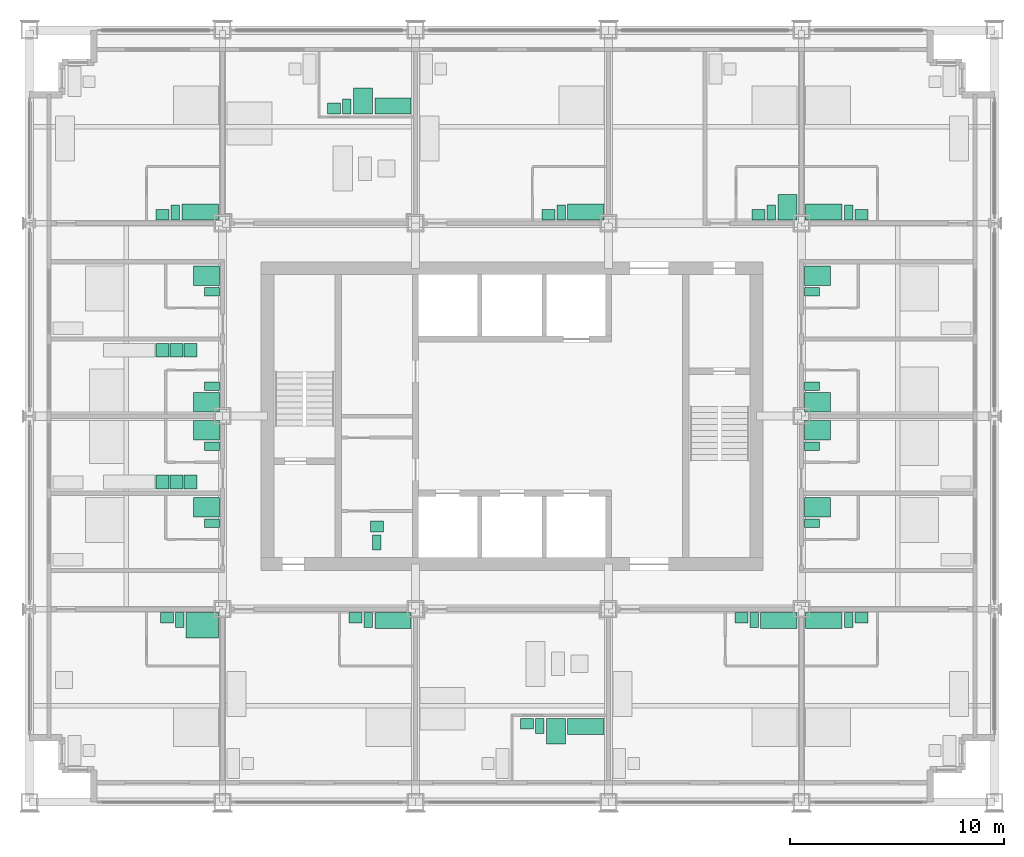
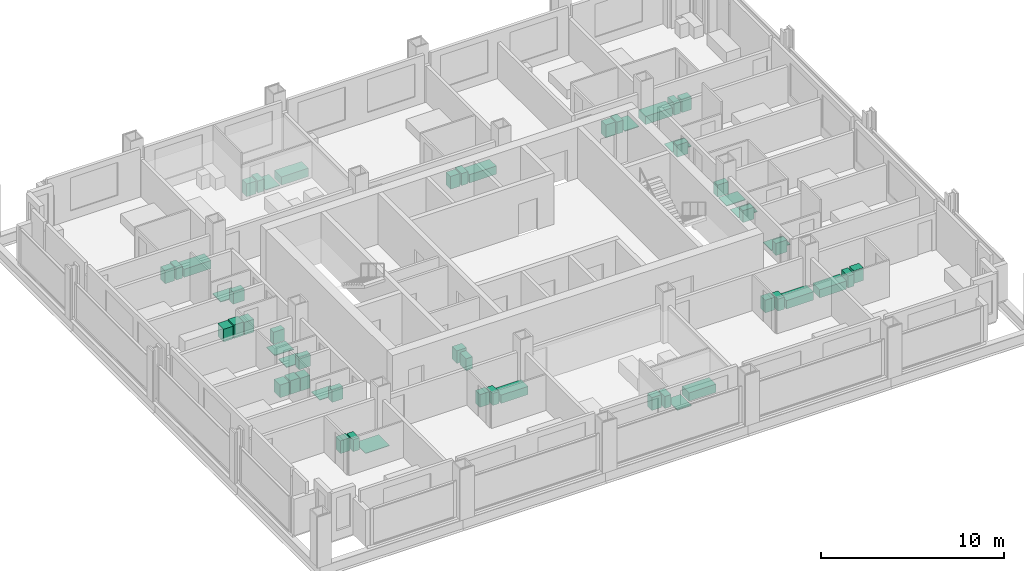
# One storey, part 15 of 16: 50 sanitary terminals, 6 electric appliances.
"""IFC4 building model written with IfcOpenShell, lengths in metres."""

import ifcopenshell
import ifcopenshell.guid

model = None  # the IFC model being written
_history = None  # IfcOwnerHistory: only IFC2X3 demands one
_inside = {}  # id of a spatial element -> (the spatial element, [elements in it])
_under = {}  # id of a project, library or spatial element -> (it, [spatial elements below it])
_declared = {}  # id of a project -> (the project, [libraries it declares])
_typed = {}  # id of a type object -> (the type object, [elements of that type])
_made_of = {}  # id of a material, layer set ... -> (it, [elements and type objects made of it])


def new_model(schema):
    """Start an empty IFC model of exactly this schema.

    Asked for "IFC4X3", IfcOpenShell would pick the latest addendum, in which some entities
    have other attributes; the version numbers below select the first issue.
    IFC2X3 requires an IfcOwnerHistory on every rooted entity: one is made here for all.
    """
    global model, _history
    if schema == "IFC4X3":
        model = ifcopenshell.file(schema_version=(4, 3, 0, 0))
    else:
        model = ifcopenshell.file(schema=schema)
    _inside.clear()
    _under.clear()
    _declared.clear()
    _typed.clear()
    _made_of.clear()
    _history = None
    if model.schema == "IFC2X3":
        org = make("IfcOrganization", Name="unknown")
        user = make(
            "IfcPersonAndOrganization",
            ThePerson=make("IfcPerson", FamilyName="unknown"),
            TheOrganization=org,
        )
        app = make(
            "IfcApplication",
            ApplicationDeveloper=org,
            Version="unknown",
            ApplicationFullName="unknown",
            ApplicationIdentifier="unknown",
        )
        _history = make(
            "IfcOwnerHistory",
            OwningUser=user,
            OwningApplication=app,
            ChangeAction="ADDED",
            CreationDate=0,
        )
    return model


def make(cls, **values):
    """One entity of the class cls with the attributes given. An attribute that is None is left unset."""
    return model.create_entity(
        cls, **{name: value for name, value in values.items() if value is not None}
    )


def rooted(cls, **values):
    """An entity with a GlobalId (a new one), such as an element, a storey or a relation."""
    return make(cls, GlobalId=ifcopenshell.guid.new(), OwnerHistory=_history, **values)


def si_unit(unit_type, name, prefix=None):
    """IfcSIUnit, for example si_unit("LENGTHUNIT", "METRE", prefix="MILLI")."""
    return make("IfcSIUnit", UnitType=unit_type, Prefix=prefix, Name=name)


def assignment(units):
    """IfcUnitAssignment: the units of a project."""
    return None if units is None else make("IfcUnitAssignment", Units=units)


def point(xyz):
    """IfcCartesianPoint."""
    return None if xyz is None else make("IfcCartesianPoint", Coordinates=xyz)


def direction(xyz):
    """IfcDirection."""
    return None if xyz is None else make("IfcDirection", DirectionRatios=xyz)


def frame(location, z_axis=None, x_axis=None):
    """IfcAxis2Placement3D, a coordinate frame: its origin and axes. An axis left out is left unset."""
    return make(
        "IfcAxis2Placement3D",
        Location=point(location),
        Axis=direction(z_axis),
        RefDirection=direction(x_axis),
    )


def frame_2d(location, x_axis=None):
    """IfcAxis2Placement2D, a coordinate frame in the plane: its origin and x axis."""
    return make(
        "IfcAxis2Placement2D", Location=point(location), RefDirection=direction(x_axis)
    )


def origin():
    """The frame at (0, 0, 0) with its axes left unset."""
    return frame((0.0, 0.0, 0.0))


def origin_2d():
    """The frame at (0, 0) in the plane with its x axis left unset."""
    return frame_2d((0.0, 0.0))


def place(relative_to, where):
    """IfcLocalPlacement: puts the frame where relative to a parent placement (None: the world)."""
    return make(
        "IfcLocalPlacement", PlacementRelTo=relative_to, RelativePlacement=where
    )


def context(
    kind, dimensions, precision=None, world=None, true_north=None, identifier=None
):
    """IfcGeometricRepresentationContext, for example the 3D "Model" context."""
    return make(
        "IfcGeometricRepresentationContext",
        ContextIdentifier=identifier,
        ContextType=kind,
        CoordinateSpaceDimension=dimensions,
        Precision=precision,
        WorldCoordinateSystem=world,
        TrueNorth=true_north,
    )


def subcontext(parent, identifier, kind, view, scale=None):
    """IfcGeometricRepresentationSubContext, for example "Body" below "Model"."""
    return make(
        "IfcGeometricRepresentationSubContext",
        ContextIdentifier=identifier,
        ContextType=kind,
        ParentContext=parent,
        TargetScale=scale,
        TargetView=view,
    )


def project(units=None, contexts=None):
    """IfcProject with its units and contexts."""
    return rooted(
        "IfcProject",
        Name="project",
        RepresentationContexts=contexts,
        UnitsInContext=assignment(units),
    )


def spatial(cls, under=None, at=None, **own):
    """A site, building, storey or space (cls), placed at a placement, below another one or the project."""
    s = rooted(cls, ObjectPlacement=at, **own)
    if under is not None:
        _under.setdefault(under.id(), (under, []))[1].append(s)
    return s


def profile(cls, at=None, kind="AREA", **sizes):
    """A parametric profile (cls). Its sizes go by their IFC names, for example OverallWidth=200.0."""
    return make(cls, ProfileType=kind, Position=at, **sizes)


def rectangle(**sizes):
    """IfcRectangleProfileDef."""
    return profile("IfcRectangleProfileDef", **sizes)


def extrude(swept, where, along, depth):
    """IfcExtrudedAreaSolid: the profile swept, set in the frame where, extruded along a direction by depth."""
    return make(
        "IfcExtrudedAreaSolid",
        SweptArea=swept,
        Position=where,
        ExtrudedDirection=direction(along),
        Depth=depth,
    )


def shape(context_of_items, identifier, shape_type, items):
    """IfcShapeRepresentation: the items that make up one representation, for example the "Body"."""
    return make(
        "IfcShapeRepresentation",
        ContextOfItems=context_of_items,
        RepresentationIdentifier=identifier,
        RepresentationType=shape_type,
        Items=items,
    )


def made_of(thing, what):
    """Note that an element or type object is made of a material, layer set ...; save() writes the relation."""
    if what is not None:
        _made_of.setdefault(what.id(), (what, []))[1].append(thing)
    return thing


def element(
    cls,
    number,
    at=None,
    inside=None,
    cuts=None,
    type_object=None,
    material=None,
    context=None,
    identifier="Body",
    shape_type=None,
    held_by="IfcProductDefinitionShape",
    body=None,
    shapes=None,
    **own,
):
    """One element of the class cls, such as IfcWall. Its Tag is "e" and its number.

    at: its placement. inside: the storey or other place that contains it. cuts: it is an
    opening in that element (IfcRelVoidsElement). A single representation is given by context,
    identifier, shape_type and body (its items); several are given by shapes. held_by: the class
    of the entity that holds the representations. save() writes the other relations.
    """
    e = rooted(cls, Tag="e%d" % number, ObjectPlacement=at, **own)
    if body is not None:
        shapes = [shape(context, identifier, shape_type, body)]
    if shapes is not None:
        e.Representation = make(held_by, Representations=shapes)
    if inside is not None:
        _inside.setdefault(inside.id(), (inside, []))[1].append(e)
    if cuts is not None:
        rooted(
            "IfcRelVoidsElement", RelatingBuildingElement=cuts, RelatedOpeningElement=e
        )
    if type_object is not None:
        _typed.setdefault(type_object.id(), (type_object, []))[1].append(e)
    return made_of(e, material)


def aggregate(whole, parts):
    """IfcRelAggregates: a whole, such as a stair, and the parts it consists of."""
    return rooted("IfcRelAggregates", RelatingObject=whole, RelatedObjects=parts)


def save(model, path):
    """Write the relations noted so far, then the file.

    IfcRelAggregates (storeys below a building ...), IfcRelContainedInSpatialStructure (elements
    in a storey), IfcRelDefinesByType, IfcRelAssociatesMaterial and IfcRelDeclares: one each for
    every whole, place, type object, material and project.
    """
    for whole, parts in _under.values():
        aggregate(whole, parts)
    for where, things in _inside.values():
        rooted(
            "IfcRelContainedInSpatialStructure",
            RelatedElements=things,
            RelatingStructure=where,
        )
    for kind, things in _typed.values():
        rooted("IfcRelDefinesByType", RelatedObjects=things, RelatingType=kind)
    for what, things in _made_of.values():
        rooted("IfcRelAssociatesMaterial", RelatedObjects=things, RelatingMaterial=what)
    for by, libraries in _declared.values():
        rooted("IfcRelDeclares", RelatingContext=by, RelatedDefinitions=libraries)
    model.write(path)


model = new_model("IFC4")

# Units and contexts
model_context = context("Model", 3, precision=1e-05, world=origin(), true_north=direction((0.0, 1.0)))
body_context = subcontext(model_context, "Body", "Model", "MODEL_VIEW")
ifc_project = project(units=[si_unit("LENGTHUNIT", "METRE"), si_unit("AREAUNIT", "SQUARE_METRE"), si_unit("VOLUMEUNIT", "CUBIC_METRE"), si_unit("PLANEANGLEUNIT", "RADIAN"), si_unit("MASSUNIT", "GRAM", prefix="KILO")], contexts=[model_context])

# Site, building, storey
site_placement = place(None, origin())
site = spatial("IfcSite", under=ifc_project, at=site_placement, CompositionType="ELEMENT")
building_placement = place(site_placement, origin())
building = spatial("IfcBuilding", under=site, at=building_placement, Name="Loomwork Tower", CompositionType="ELEMENT")
storey_placement = place(building_placement, frame((0.0, 0.0, 107.800048828125)))
storey = spatial("IfcBuildingStorey", under=building, at=storey_placement, Name="L28", CompositionType="ELEMENT", Elevation=107.800048828125)

# Sanitary terminals
sanitary_terminal_1_placement = place(storey_placement, frame((8.050048828125, 8.25, 0.0), z_axis=(0.0, 0.0, 1.0), x_axis=(1.0, 0.0, 0.0)))
element("IfcSanitaryTerminal", 1, at=sanitary_terminal_1_placement, inside=storey, Name="Roll-in shower floor L28", PredefinedType="SHOWER", context=body_context, shape_type="SweptSolid", body=[
    extrude(rectangle(XDim=1.5, YDim=1.199951171875, at=origin_2d()), origin(), (0.0, 0.0, 1.0), 0.030029296875),
])
sanitary_terminal_2_placement = place(storey_placement, frame((7.0, 8.5, 0.0), z_axis=(0.0, 0.0, 1.0), x_axis=(1.0, 0.0, 0.0)))
element("IfcSanitaryTerminal", 2, at=sanitary_terminal_2_placement, inside=storey, Name="WC L28", PredefinedType="TOILETPAN", context=body_context, shape_type="SweptSolid", body=[
    extrude(rectangle(XDim=0.39990234375, YDim=0.699951171875, at=origin_2d()), origin(), (0.0, 0.0, 1.0), 0.800048828125),
])
sanitary_terminal_3_placement = place(storey_placement, frame((6.39990234375, 8.60009765625, 0.0), z_axis=(0.0, 0.0, 1.0), x_axis=(1.0, 0.0, 0.0)))
element("IfcSanitaryTerminal", 3, at=sanitary_terminal_3_placement, inside=storey, Name="Basin vanity L28", PredefinedType="WASHHANDBASIN", context=body_context, shape_type="SweptSolid", body=[
    extrude(rectangle(XDim=0.60009765625, YDim=0.5, at=origin_2d()), origin(), (0.0, 0.0, 1.0), 0.85009765625),
])
sanitary_terminal_4_placement = place(storey_placement, frame((16.949951171875, 8.47509765625, 0.0), z_axis=(0.0, 0.0, 1.0), x_axis=(1.0, 0.0, 0.0)))
element("IfcSanitaryTerminal", 4, at=sanitary_terminal_4_placement, inside=storey, Name="Bath L28", PredefinedType="BATH", context=body_context, shape_type="SweptSolid", body=[
    extrude(rectangle(XDim=1.699951171875, YDim=0.75, at=origin_2d()), origin(), (0.0, 0.0, 1.0), 0.550048828125),
])
sanitary_terminal_5_placement = place(storey_placement, frame((15.800048828125, 8.5, 0.0), z_axis=(0.0, 0.0, 1.0), x_axis=(1.0, 0.0, 0.0)))
element("IfcSanitaryTerminal", 5, at=sanitary_terminal_5_placement, inside=storey, Name="WC L28", PredefinedType="TOILETPAN", context=body_context, shape_type="SweptSolid", body=[
    extrude(rectangle(XDim=0.39990234375, YDim=0.699951171875, at=origin_2d()), origin(), (0.0, 0.0, 1.0), 0.800048828125),
])
sanitary_terminal_6_placement = place(storey_placement, frame((15.199951171875, 8.60009765625, 0.0), z_axis=(0.0, 0.0, 1.0), x_axis=(1.0, 0.0, 0.0)))
element("IfcSanitaryTerminal", 6, at=sanitary_terminal_6_placement, inside=storey, Name="Basin vanity L28", PredefinedType="WASHHANDBASIN", context=body_context, shape_type="SweptSolid", body=[
    extrude(rectangle(XDim=0.60009765625, YDim=0.5, at=origin_2d()), origin(), (0.0, 0.0, 1.0), 0.85009765625),
])
sanitary_terminal_7_placement = place(storey_placement, frame((25.949951171875, 3.52490234375, 0.0), z_axis=(0.0, 0.0, 1.0), x_axis=(1.0, 0.0, 0.0)))
element("IfcSanitaryTerminal", 7, at=sanitary_terminal_7_placement, inside=storey, Name="Bath L28", PredefinedType="BATH", context=body_context, shape_type="SweptSolid", body=[
    extrude(rectangle(XDim=1.699951171875, YDim=0.75, at=origin_2d()), origin(), (0.0, 0.0, 1.0), 0.550048828125),
])
sanitary_terminal_8_placement = place(storey_placement, frame((24.550048828125, 3.300048828125, 0.0), z_axis=(0.0, 0.0, 1.0), x_axis=(1.0, 0.0, 0.0)))
element("IfcSanitaryTerminal", 8, at=sanitary_terminal_8_placement, inside=storey, Name="Shower tray L28", PredefinedType="SHOWER", context=body_context, shape_type="SweptSolid", body=[
    extrude(rectangle(XDim=0.89990234375, YDim=1.199951171875, at=origin_2d()), origin(), (0.0, 0.0, 1.0), 0.050048828125),
])
sanitary_terminal_9_placement = place(storey_placement, frame((23.800048828125, 3.550048828125, 0.0), z_axis=(0.0, 0.0, 1.0), x_axis=(1.0, 0.0, 0.0)))
element("IfcSanitaryTerminal", 9, at=sanitary_terminal_9_placement, inside=storey, Name="WC L28", PredefinedType="TOILETPAN", context=body_context, shape_type="SweptSolid", body=[
    extrude(rectangle(XDim=0.39990234375, YDim=0.699951171875, at=origin_2d()), origin(), (0.0, 0.0, 1.0), 0.800048828125),
])
sanitary_terminal_10_placement = place(storey_placement, frame((23.199951171875, 3.64990234375, 0.0), z_axis=(0.0, 0.0, 1.0), x_axis=(1.0, 0.0, 0.0)))
element("IfcSanitaryTerminal", 10, at=sanitary_terminal_10_placement, inside=storey, Name="Basin vanity L28", PredefinedType="WASHHANDBASIN", context=body_context, shape_type="SweptSolid", body=[
    extrude(rectangle(XDim=0.60009765625, YDim=0.5, at=origin_2d()), origin(), (0.0, 0.0, 1.0), 0.85009765625),
])
sanitary_terminal_11_placement = place(storey_placement, frame((34.949951171875, 8.47509765625, 0.0), z_axis=(0.0, 0.0, 1.0), x_axis=(1.0, 0.0, 0.0)))
element("IfcSanitaryTerminal", 11, at=sanitary_terminal_11_placement, inside=storey, Name="Bath L28", PredefinedType="BATH", context=body_context, shape_type="SweptSolid", body=[
    extrude(rectangle(XDim=1.699951171875, YDim=0.75, at=origin_2d()), origin(), (0.0, 0.0, 1.0), 0.550048828125),
])
sanitary_terminal_12_placement = place(storey_placement, frame((33.800048828125, 8.5, 0.0), z_axis=(0.0, 0.0, 1.0), x_axis=(1.0, 0.0, 0.0)))
element("IfcSanitaryTerminal", 12, at=sanitary_terminal_12_placement, inside=storey, Name="WC L28", PredefinedType="TOILETPAN", context=body_context, shape_type="SweptSolid", body=[
    extrude(rectangle(XDim=0.39990234375, YDim=0.699951171875, at=origin_2d()), origin(), (0.0, 0.0, 1.0), 0.800048828125),
])
sanitary_terminal_13_placement = place(storey_placement, frame((33.199951171875, 8.60009765625, 0.0), z_axis=(0.0, 0.0, 1.0), x_axis=(1.0, 0.0, 0.0)))
element("IfcSanitaryTerminal", 13, at=sanitary_terminal_13_placement, inside=storey, Name="Basin vanity L28", PredefinedType="WASHHANDBASIN", context=body_context, shape_type="SweptSolid", body=[
    extrude(rectangle(XDim=0.60009765625, YDim=0.5, at=origin_2d()), origin(), (0.0, 0.0, 1.0), 0.85009765625),
])
sanitary_terminal_14_placement = place(storey_placement, frame((37.050048828125, 8.47509765625, 0.0), z_axis=(0.0, 0.0, 1.0), x_axis=(1.0, 0.0, 0.0)))
element("IfcSanitaryTerminal", 14, at=sanitary_terminal_14_placement, inside=storey, Name="Bath L28", PredefinedType="BATH", context=body_context, shape_type="SweptSolid", body=[
    extrude(rectangle(XDim=1.699951171875, YDim=0.75, at=origin_2d()), origin(), (0.0, 0.0, 1.0), 0.550048828125),
])
sanitary_terminal_15_placement = place(storey_placement, frame((38.199951171875, 8.5, 0.0), z_axis=(0.0, 0.0, 1.0), x_axis=(1.0, 0.0, 0.0)))
element("IfcSanitaryTerminal", 15, at=sanitary_terminal_15_placement, inside=storey, Name="WC L28", PredefinedType="TOILETPAN", context=body_context, shape_type="SweptSolid", body=[
    extrude(rectangle(XDim=0.39990234375, YDim=0.699951171875, at=origin_2d()), origin(), (0.0, 0.0, 1.0), 0.800048828125),
])
sanitary_terminal_16_placement = place(storey_placement, frame((38.800048828125, 8.60009765625, 0.0), z_axis=(0.0, 0.0, 1.0), x_axis=(1.0, 0.0, 0.0)))
element("IfcSanitaryTerminal", 16, at=sanitary_terminal_16_placement, inside=storey, Name="Basin vanity L28", PredefinedType="WASHHANDBASIN", context=body_context, shape_type="SweptSolid", body=[
    extrude(rectangle(XDim=0.60009765625, YDim=0.5, at=origin_2d()), origin(), (0.0, 0.0, 1.0), 0.85009765625),
])
sanitary_terminal_17_placement = place(storey_placement, frame((7.949951171875, 27.52490234375, 0.0), z_axis=(0.0, 0.0, 1.0), x_axis=(1.0, 0.0, 0.0)))
element("IfcSanitaryTerminal", 17, at=sanitary_terminal_17_placement, inside=storey, Name="Bath L28", PredefinedType="BATH", context=body_context, shape_type="SweptSolid", body=[
    extrude(rectangle(XDim=1.699951171875, YDim=0.75, at=origin_2d()), origin(), (0.0, 0.0, 1.0), 0.550048828125),
])
sanitary_terminal_18_placement = place(storey_placement, frame((6.800048828125, 27.5, 0.0), z_axis=(0.0, 0.0, 1.0), x_axis=(1.0, 0.0, 0.0)))
element("IfcSanitaryTerminal", 18, at=sanitary_terminal_18_placement, inside=storey, Name="WC L28", PredefinedType="TOILETPAN", context=body_context, shape_type="SweptSolid", body=[
    extrude(rectangle(XDim=0.39990234375, YDim=0.699951171875, at=origin_2d()), origin(), (0.0, 0.0, 1.0), 0.800048828125),
])
sanitary_terminal_19_placement = place(storey_placement, frame((6.199951171875, 27.39990234375, 0.0), z_axis=(0.0, 0.0, 1.0), x_axis=(1.0, 0.0, 0.0)))
element("IfcSanitaryTerminal", 19, at=sanitary_terminal_19_placement, inside=storey, Name="Basin vanity L28", PredefinedType="WASHHANDBASIN", context=body_context, shape_type="SweptSolid", body=[
    extrude(rectangle(XDim=0.60009765625, YDim=0.5, at=origin_2d()), origin(), (0.0, 0.0, 1.0), 0.85009765625),
])
sanitary_terminal_20_placement = place(storey_placement, frame((16.949951171875, 32.47509765625, 0.0), z_axis=(0.0, 0.0, 1.0), x_axis=(1.0, 0.0, 0.0)))
element("IfcSanitaryTerminal", 20, at=sanitary_terminal_20_placement, inside=storey, Name="Bath L28", PredefinedType="BATH", context=body_context, shape_type="SweptSolid", body=[
    extrude(rectangle(XDim=1.699951171875, YDim=0.75, at=origin_2d()), origin(), (0.0, 0.0, 1.0), 0.550048828125),
])
sanitary_terminal_21_placement = place(storey_placement, frame((15.550048828125, 32.699951171875, 0.0), z_axis=(0.0, 0.0, 1.0), x_axis=(1.0, 0.0, 0.0)))
element("IfcSanitaryTerminal", 21, at=sanitary_terminal_21_placement, inside=storey, Name="Shower tray L28", PredefinedType="SHOWER", context=body_context, shape_type="SweptSolid", body=[
    extrude(rectangle(XDim=0.89990234375, YDim=1.199951171875, at=origin_2d()), origin(), (0.0, 0.0, 1.0), 0.050048828125),
])
sanitary_terminal_22_placement = place(storey_placement, frame((14.800048828125, 32.449951171875, 0.0), z_axis=(0.0, 0.0, 1.0), x_axis=(1.0, 0.0, 0.0)))
element("IfcSanitaryTerminal", 22, at=sanitary_terminal_22_placement, inside=storey, Name="WC L28", PredefinedType="TOILETPAN", context=body_context, shape_type="SweptSolid", body=[
    extrude(rectangle(XDim=0.39990234375, YDim=0.699951171875, at=origin_2d()), origin(), (0.0, 0.0, 1.0), 0.800048828125),
])
sanitary_terminal_23_placement = place(storey_placement, frame((14.199951171875, 32.35009765625, 0.0), z_axis=(0.0, 0.0, 1.0), x_axis=(1.0, 0.0, 0.0)))
element("IfcSanitaryTerminal", 23, at=sanitary_terminal_23_placement, inside=storey, Name="Basin vanity L28", PredefinedType="WASHHANDBASIN", context=body_context, shape_type="SweptSolid", body=[
    extrude(rectangle(XDim=0.60009765625, YDim=0.5, at=origin_2d()), origin(), (0.0, 0.0, 1.0), 0.85009765625),
])
sanitary_terminal_24_placement = place(storey_placement, frame((25.949951171875, 27.52490234375, 0.0), z_axis=(0.0, 0.0, 1.0), x_axis=(1.0, 0.0, 0.0)))
element("IfcSanitaryTerminal", 24, at=sanitary_terminal_24_placement, inside=storey, Name="Bath L28", PredefinedType="BATH", context=body_context, shape_type="SweptSolid", body=[
    extrude(rectangle(XDim=1.699951171875, YDim=0.75, at=origin_2d()), origin(), (0.0, 0.0, 1.0), 0.550048828125),
])
sanitary_terminal_25_placement = place(storey_placement, frame((24.800048828125, 27.5, 0.0), z_axis=(0.0, 0.0, 1.0), x_axis=(1.0, 0.0, 0.0)))
element("IfcSanitaryTerminal", 25, at=sanitary_terminal_25_placement, inside=storey, Name="WC L28", PredefinedType="TOILETPAN", context=body_context, shape_type="SweptSolid", body=[
    extrude(rectangle(XDim=0.39990234375, YDim=0.699951171875, at=origin_2d()), origin(), (0.0, 0.0, 1.0), 0.800048828125),
])
sanitary_terminal_26_placement = place(storey_placement, frame((24.199951171875, 27.39990234375, 0.0), z_axis=(0.0, 0.0, 1.0), x_axis=(1.0, 0.0, 0.0)))
element("IfcSanitaryTerminal", 26, at=sanitary_terminal_26_placement, inside=storey, Name="Basin vanity L28", PredefinedType="WASHHANDBASIN", context=body_context, shape_type="SweptSolid", body=[
    extrude(rectangle(XDim=0.60009765625, YDim=0.5, at=origin_2d()), origin(), (0.0, 0.0, 1.0), 0.85009765625),
])
sanitary_terminal_27_placement = place(storey_placement, frame((35.35009765625, 27.75, 0.0), z_axis=(0.0, 0.0, 1.0), x_axis=(1.0, 0.0, 0.0)))
element("IfcSanitaryTerminal", 27, at=sanitary_terminal_27_placement, inside=storey, Name="Shower tray L28", PredefinedType="SHOWER", context=body_context, shape_type="SweptSolid", body=[
    extrude(rectangle(XDim=0.89990234375, YDim=1.199951171875, at=origin_2d()), origin(), (0.0, 0.0, 1.0), 0.050048828125),
])
sanitary_terminal_28_placement = place(storey_placement, frame((34.60009765625, 27.5, 0.0), z_axis=(0.0, 0.0, 1.0), x_axis=(1.0, 0.0, 0.0)))
element("IfcSanitaryTerminal", 28, at=sanitary_terminal_28_placement, inside=storey, Name="WC L28", PredefinedType="TOILETPAN", context=body_context, shape_type="SweptSolid", body=[
    extrude(rectangle(XDim=0.39990234375, YDim=0.699951171875, at=origin_2d()), origin(), (0.0, 0.0, 1.0), 0.800048828125),
])
sanitary_terminal_29_placement = place(storey_placement, frame((34.0, 27.39990234375, 0.0), z_axis=(0.0, 0.0, 1.0), x_axis=(1.0, 0.0, 0.0)))
element("IfcSanitaryTerminal", 29, at=sanitary_terminal_29_placement, inside=storey, Name="Basin vanity L28", PredefinedType="WASHHANDBASIN", context=body_context, shape_type="SweptSolid", body=[
    extrude(rectangle(XDim=0.60009765625, YDim=0.5, at=origin_2d()), origin(), (0.0, 0.0, 1.0), 0.85009765625),
])
sanitary_terminal_30_placement = place(storey_placement, frame((37.050048828125, 27.52490234375, 0.0), z_axis=(0.0, 0.0, 1.0), x_axis=(1.0, 0.0, 0.0)))
element("IfcSanitaryTerminal", 30, at=sanitary_terminal_30_placement, inside=storey, Name="Bath L28", PredefinedType="BATH", context=body_context, shape_type="SweptSolid", body=[
    extrude(rectangle(XDim=1.699951171875, YDim=0.75, at=origin_2d()), origin(), (0.0, 0.0, 1.0), 0.550048828125),
])
sanitary_terminal_31_placement = place(storey_placement, frame((38.199951171875, 27.5, 0.0), z_axis=(0.0, 0.0, 1.0), x_axis=(1.0, 0.0, 0.0)))
element("IfcSanitaryTerminal", 31, at=sanitary_terminal_31_placement, inside=storey, Name="WC L28", PredefinedType="TOILETPAN", context=body_context, shape_type="SweptSolid", body=[
    extrude(rectangle(XDim=0.39990234375, YDim=0.699951171875, at=origin_2d()), origin(), (0.0, 0.0, 1.0), 0.800048828125),
])
sanitary_terminal_32_placement = place(storey_placement, frame((38.800048828125, 27.39990234375, 0.0), z_axis=(0.0, 0.0, 1.0), x_axis=(1.0, 0.0, 0.0)))
element("IfcSanitaryTerminal", 32, at=sanitary_terminal_32_placement, inside=storey, Name="Basin vanity L28", PredefinedType="WASHHANDBASIN", context=body_context, shape_type="SweptSolid", body=[
    extrude(rectangle(XDim=0.60009765625, YDim=0.5, at=origin_2d()), origin(), (0.0, 0.0, 1.0), 0.85009765625),
])
sanitary_terminal_33_placement = place(storey_placement, frame((8.25, 13.75, 0.0), z_axis=(0.0, 0.0, 1.0), x_axis=(1.0, 0.0, 0.0)))
element("IfcSanitaryTerminal", 33, at=sanitary_terminal_33_placement, inside=storey, Name="Shower tray L28", PredefinedType="SHOWER", context=body_context, shape_type="SweptSolid", body=[
    extrude(rectangle(XDim=1.199951171875, YDim=0.89990234375, at=origin_2d()), origin(), (0.0, 0.0, 1.0), 0.050048828125),
])
sanitary_terminal_34_placement = place(storey_placement, frame((8.5, 13.0, 0.0), z_axis=(0.0, 0.0, 1.0), x_axis=(1.0, 0.0, 0.0)))
element("IfcSanitaryTerminal", 34, at=sanitary_terminal_34_placement, inside=storey, Name="WC L28", PredefinedType="TOILETPAN", context=body_context, shape_type="SweptSolid", body=[
    extrude(rectangle(XDim=0.699951171875, YDim=0.39990234375, at=origin_2d()), origin(), (0.0, 0.0, 1.0), 0.800048828125),
])
sanitary_terminal_35_placement = place(storey_placement, frame((8.25, 17.35009765625, 0.0), z_axis=(0.0, 0.0, 1.0), x_axis=(1.0, 0.0, 0.0)))
element("IfcSanitaryTerminal", 35, at=sanitary_terminal_35_placement, inside=storey, Name="Shower tray L28", PredefinedType="SHOWER", context=body_context, shape_type="SweptSolid", body=[
    extrude(rectangle(XDim=1.199951171875, YDim=0.89990234375, at=origin_2d()), origin(), (0.0, 0.0, 1.0), 0.050048828125),
])
sanitary_terminal_36_placement = place(storey_placement, frame((8.5, 16.60009765625, 0.0), z_axis=(0.0, 0.0, 1.0), x_axis=(1.0, 0.0, 0.0)))
element("IfcSanitaryTerminal", 36, at=sanitary_terminal_36_placement, inside=storey, Name="WC L28", PredefinedType="TOILETPAN", context=body_context, shape_type="SweptSolid", body=[
    extrude(rectangle(XDim=0.699951171875, YDim=0.39990234375, at=origin_2d()), origin(), (0.0, 0.0, 1.0), 0.800048828125),
])

# Electric appliances
electric_appliance_1_placement = place(storey_placement, frame((7.5, 14.925048828125, 0.0), z_axis=(0.0, 0.0, 1.0), x_axis=(1.0, 0.0, 0.0)))
element("IfcElectricAppliance", 37, at=electric_appliance_1_placement, inside=storey, Name="Refrigerator L28", PredefinedType="REFRIGERATOR", context=body_context, shape_type="SweptSolid", body=[
    extrude(rectangle(XDim=0.60009765625, YDim=0.64990234375, at=origin_2d()), origin(), (0.0, 0.0, 1.0), 0.85009765625),
])
electric_appliance_2_placement = place(storey_placement, frame((6.85009765625, 14.925048828125, 0.0), z_axis=(0.0, 0.0, 1.0), x_axis=(1.0, 0.0, 0.0)))
element("IfcElectricAppliance", 38, at=electric_appliance_2_placement, inside=storey, Name="Two-ring cooktop and oven L28", PredefinedType="ELECTRICCOOKER", context=body_context, shape_type="SweptSolid", body=[
    extrude(rectangle(XDim=0.60009765625, YDim=0.64990234375, at=origin_2d()), origin(), (0.0, 0.0, 1.0), 0.89990234375),
])
electric_appliance_3_placement = place(storey_placement, frame((6.199951171875, 14.925048828125, 0.0), z_axis=(0.0, 0.0, 1.0), x_axis=(1.0, 0.0, 0.0)))
element("IfcElectricAppliance", 39, at=electric_appliance_3_placement, inside=storey, Name="Dishwasher L28", PredefinedType="DISHWASHER", context=body_context, shape_type="SweptSolid", body=[
    extrude(rectangle(XDim=0.60009765625, YDim=0.64990234375, at=origin_2d()), origin(), (0.0, 0.0, 1.0), 0.85009765625),
])

# Sanitary terminals
sanitary_terminal_37_placement = place(storey_placement, frame((8.25, 18.64990234375, 0.0), z_axis=(0.0, 0.0, 1.0), x_axis=(1.0, 0.0, 0.0)))
element("IfcSanitaryTerminal", 40, at=sanitary_terminal_37_placement, inside=storey, Name="Shower tray L28", PredefinedType="SHOWER", context=body_context, shape_type="SweptSolid", body=[
    extrude(rectangle(XDim=1.199951171875, YDim=0.89990234375, at=origin_2d()), origin(), (0.0, 0.0, 1.0), 0.050048828125),
])
sanitary_terminal_38_placement = place(storey_placement, frame((8.5, 19.39990234375, 0.0), z_axis=(0.0, 0.0, 1.0), x_axis=(1.0, 0.0, 0.0)))
element("IfcSanitaryTerminal", 41, at=sanitary_terminal_38_placement, inside=storey, Name="WC L28", PredefinedType="TOILETPAN", context=body_context, shape_type="SweptSolid", body=[
    extrude(rectangle(XDim=0.699951171875, YDim=0.39990234375, at=origin_2d()), origin(), (0.0, 0.0, 1.0), 0.800048828125),
])

# Electric appliances
electric_appliance_4_placement = place(storey_placement, frame((7.5, 21.074951171875, 0.0), z_axis=(0.0, 0.0, 1.0), x_axis=(1.0, 0.0, 0.0)))
element("IfcElectricAppliance", 42, at=electric_appliance_4_placement, inside=storey, Name="Refrigerator L28", PredefinedType="REFRIGERATOR", context=body_context, shape_type="SweptSolid", body=[
    extrude(rectangle(XDim=0.60009765625, YDim=0.64990234375, at=origin_2d()), origin(), (0.0, 0.0, 1.0), 0.85009765625),
])
electric_appliance_5_placement = place(storey_placement, frame((6.85009765625, 21.074951171875, 0.0), z_axis=(0.0, 0.0, 1.0), x_axis=(1.0, 0.0, 0.0)))
element("IfcElectricAppliance", 43, at=electric_appliance_5_placement, inside=storey, Name="Two-ring cooktop and oven L28", PredefinedType="ELECTRICCOOKER", context=body_context, shape_type="SweptSolid", body=[
    extrude(rectangle(XDim=0.60009765625, YDim=0.64990234375, at=origin_2d()), origin(), (0.0, 0.0, 1.0), 0.89990234375),
])
electric_appliance_6_placement = place(storey_placement, frame((6.199951171875, 21.074951171875, 0.0), z_axis=(0.0, 0.0, 1.0), x_axis=(1.0, 0.0, 0.0)))
element("IfcElectricAppliance", 44, at=electric_appliance_6_placement, inside=storey, Name="Dishwasher L28", PredefinedType="DISHWASHER", context=body_context, shape_type="SweptSolid", body=[
    extrude(rectangle(XDim=0.60009765625, YDim=0.64990234375, at=origin_2d()), origin(), (0.0, 0.0, 1.0), 0.85009765625),
])

# Sanitary terminals
sanitary_terminal_39_placement = place(storey_placement, frame((8.25, 24.550048828125, 0.0), z_axis=(0.0, 0.0, 1.0), x_axis=(1.0, 0.0, 0.0)))
element("IfcSanitaryTerminal", 45, at=sanitary_terminal_39_placement, inside=storey, Name="Shower tray L28", PredefinedType="SHOWER", context=body_context, shape_type="SweptSolid", body=[
    extrude(rectangle(XDim=1.199951171875, YDim=0.89990234375, at=origin_2d()), origin(), (0.0, 0.0, 1.0), 0.050048828125),
])
sanitary_terminal_40_placement = place(storey_placement, frame((8.5, 23.800048828125, 0.0), z_axis=(0.0, 0.0, 1.0), x_axis=(1.0, 0.0, 0.0)))
element("IfcSanitaryTerminal", 46, at=sanitary_terminal_40_placement, inside=storey, Name="WC L28", PredefinedType="TOILETPAN", context=body_context, shape_type="SweptSolid", body=[
    extrude(rectangle(XDim=0.699951171875, YDim=0.39990234375, at=origin_2d()), origin(), (0.0, 0.0, 1.0), 0.800048828125),
])
sanitary_terminal_41_placement = place(storey_placement, frame((36.75, 13.75, 0.0), z_axis=(0.0, 0.0, 1.0), x_axis=(1.0, 0.0, 0.0)))
element("IfcSanitaryTerminal", 47, at=sanitary_terminal_41_placement, inside=storey, Name="Shower tray L28", PredefinedType="SHOWER", context=body_context, shape_type="SweptSolid", body=[
    extrude(rectangle(XDim=1.199951171875, YDim=0.89990234375, at=origin_2d()), origin(), (0.0, 0.0, 1.0), 0.050048828125),
])
sanitary_terminal_42_placement = place(storey_placement, frame((36.5, 13.0, 0.0), z_axis=(0.0, 0.0, 1.0), x_axis=(1.0, 0.0, 0.0)))
element("IfcSanitaryTerminal", 48, at=sanitary_terminal_42_placement, inside=storey, Name="WC L28", PredefinedType="TOILETPAN", context=body_context, shape_type="SweptSolid", body=[
    extrude(rectangle(XDim=0.699951171875, YDim=0.39990234375, at=origin_2d()), origin(), (0.0, 0.0, 1.0), 0.800048828125),
])
sanitary_terminal_43_placement = place(storey_placement, frame((36.75, 17.35009765625, 0.0), z_axis=(0.0, 0.0, 1.0), x_axis=(1.0, 0.0, 0.0)))
element("IfcSanitaryTerminal", 49, at=sanitary_terminal_43_placement, inside=storey, Name="Shower tray L28", PredefinedType="SHOWER", context=body_context, shape_type="SweptSolid", body=[
    extrude(rectangle(XDim=1.199951171875, YDim=0.89990234375, at=origin_2d()), origin(), (0.0, 0.0, 1.0), 0.050048828125),
])
sanitary_terminal_44_placement = place(storey_placement, frame((36.5, 16.60009765625, 0.0), z_axis=(0.0, 0.0, 1.0), x_axis=(1.0, 0.0, 0.0)))
element("IfcSanitaryTerminal", 50, at=sanitary_terminal_44_placement, inside=storey, Name="WC L28", PredefinedType="TOILETPAN", context=body_context, shape_type="SweptSolid", body=[
    extrude(rectangle(XDim=0.699951171875, YDim=0.39990234375, at=origin_2d()), origin(), (0.0, 0.0, 1.0), 0.800048828125),
])
sanitary_terminal_45_placement = place(storey_placement, frame((36.75, 18.64990234375, 0.0), z_axis=(0.0, 0.0, 1.0), x_axis=(1.0, 0.0, 0.0)))
element("IfcSanitaryTerminal", 51, at=sanitary_terminal_45_placement, inside=storey, Name="Shower tray L28", PredefinedType="SHOWER", context=body_context, shape_type="SweptSolid", body=[
    extrude(rectangle(XDim=1.199951171875, YDim=0.89990234375, at=origin_2d()), origin(), (0.0, 0.0, 1.0), 0.050048828125),
])
sanitary_terminal_46_placement = place(storey_placement, frame((36.5, 19.39990234375, 0.0), z_axis=(0.0, 0.0, 1.0), x_axis=(1.0, 0.0, 0.0)))
element("IfcSanitaryTerminal", 52, at=sanitary_terminal_46_placement, inside=storey, Name="WC L28", PredefinedType="TOILETPAN", context=body_context, shape_type="SweptSolid", body=[
    extrude(rectangle(XDim=0.699951171875, YDim=0.39990234375, at=origin_2d()), origin(), (0.0, 0.0, 1.0), 0.800048828125),
])
sanitary_terminal_47_placement = place(storey_placement, frame((36.75, 24.550048828125, 0.0), z_axis=(0.0, 0.0, 1.0), x_axis=(1.0, 0.0, 0.0)))
element("IfcSanitaryTerminal", 53, at=sanitary_terminal_47_placement, inside=storey, Name="Shower tray L28", PredefinedType="SHOWER", context=body_context, shape_type="SweptSolid", body=[
    extrude(rectangle(XDim=1.199951171875, YDim=0.89990234375, at=origin_2d()), origin(), (0.0, 0.0, 1.0), 0.050048828125),
])
sanitary_terminal_48_placement = place(storey_placement, frame((36.5, 23.800048828125, 0.0), z_axis=(0.0, 0.0, 1.0), x_axis=(1.0, 0.0, 0.0)))
element("IfcSanitaryTerminal", 54, at=sanitary_terminal_48_placement, inside=storey, Name="WC L28", PredefinedType="TOILETPAN", context=body_context, shape_type="SweptSolid", body=[
    extrude(rectangle(XDim=0.699951171875, YDim=0.39990234375, at=origin_2d()), origin(), (0.0, 0.0, 1.0), 0.800048828125),
])
sanitary_terminal_49_placement = place(storey_placement, frame((16.199951171875, 12.10009765625, 0.0), z_axis=(0.0, 0.0, 1.0), x_axis=(1.0, 0.0, 0.0)))
element("IfcSanitaryTerminal", 55, at=sanitary_terminal_49_placement, inside=storey, Name="WC L28", PredefinedType="TOILETPAN", context=body_context, shape_type="SweptSolid", body=[
    extrude(rectangle(XDim=0.39990234375, YDim=0.699951171875, at=origin_2d()), origin(), (0.0, 0.0, 1.0), 0.800048828125),
])
sanitary_terminal_50_placement = place(storey_placement, frame((16.199951171875, 12.85009765625, 0.0), z_axis=(0.0, 0.0, 1.0), x_axis=(1.0, 0.0, 0.0)))
element("IfcSanitaryTerminal", 56, at=sanitary_terminal_50_placement, inside=storey, Name="Basin L28", PredefinedType="WASHHANDBASIN", context=body_context, shape_type="SweptSolid", body=[
    extrude(rectangle(XDim=0.60009765625, YDim=0.5, at=origin_2d()), origin(), (0.0, 0.0, 1.0), 0.85009765625),
])

save(model, "model.ifc")
